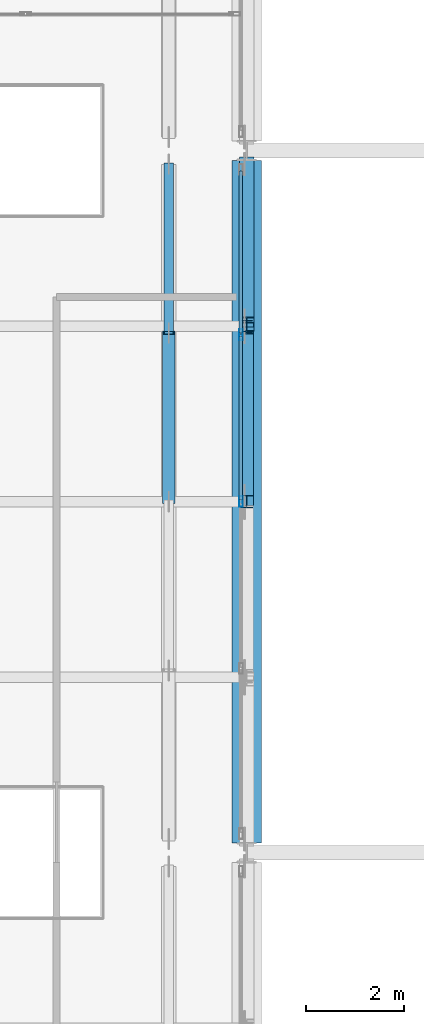
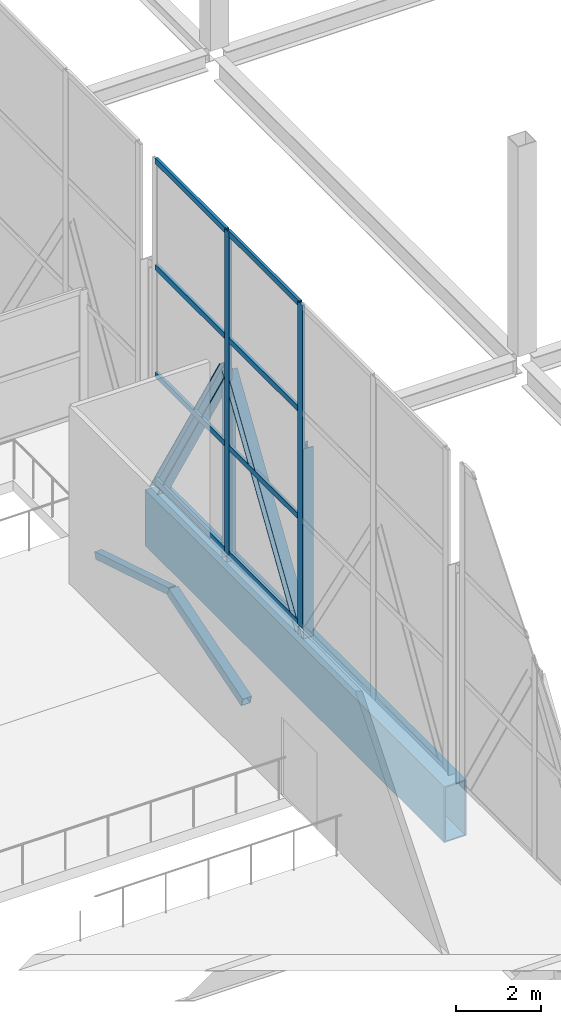
# One storey, part 66 of 191: 16 members, 1 beam, 1 element without a shape of its own.
"""IFC4 building model written with IfcOpenShell, lengths in metres."""

import ifcopenshell
import ifcopenshell.guid

model = None  # the IFC model being written
_history = None  # IfcOwnerHistory: only IFC2X3 demands one
_inside = {}  # id of a spatial element -> (the spatial element, [elements in it])
_under = {}  # id of a project, library or spatial element -> (it, [spatial elements below it])
_declared = {}  # id of a project -> (the project, [libraries it declares])
_typed = {}  # id of a type object -> (the type object, [elements of that type])
_made_of = {}  # id of a material, layer set ... -> (it, [elements and type objects made of it])


def new_model(schema):
    """Start an empty IFC model of exactly this schema.

    Asked for "IFC4X3", IfcOpenShell would pick the latest addendum, in which some entities
    have other attributes; the version numbers below select the first issue.
    IFC2X3 requires an IfcOwnerHistory on every rooted entity: one is made here for all.
    """
    global model, _history
    if schema == "IFC4X3":
        model = ifcopenshell.file(schema_version=(4, 3, 0, 0))
    else:
        model = ifcopenshell.file(schema=schema)
    _inside.clear()
    _under.clear()
    _declared.clear()
    _typed.clear()
    _made_of.clear()
    _history = None
    if model.schema == "IFC2X3":
        org = make("IfcOrganization", Name="unknown")
        user = make(
            "IfcPersonAndOrganization",
            ThePerson=make("IfcPerson", FamilyName="unknown"),
            TheOrganization=org,
        )
        app = make(
            "IfcApplication",
            ApplicationDeveloper=org,
            Version="unknown",
            ApplicationFullName="unknown",
            ApplicationIdentifier="unknown",
        )
        _history = make(
            "IfcOwnerHistory",
            OwningUser=user,
            OwningApplication=app,
            ChangeAction="ADDED",
            CreationDate=0,
        )
    return model


def make(cls, **values):
    """One entity of the class cls with the attributes given. An attribute that is None is left unset."""
    return model.create_entity(
        cls, **{name: value for name, value in values.items() if value is not None}
    )


def rooted(cls, **values):
    """An entity with a GlobalId (a new one), such as an element, a storey or a relation."""
    return make(cls, GlobalId=ifcopenshell.guid.new(), OwnerHistory=_history, **values)


def si_unit(unit_type, name, prefix=None):
    """IfcSIUnit, for example si_unit("LENGTHUNIT", "METRE", prefix="MILLI")."""
    return make("IfcSIUnit", UnitType=unit_type, Prefix=prefix, Name=name)


def assignment(units):
    """IfcUnitAssignment: the units of a project."""
    return None if units is None else make("IfcUnitAssignment", Units=units)


def point(xyz):
    """IfcCartesianPoint."""
    return None if xyz is None else make("IfcCartesianPoint", Coordinates=xyz)


def direction(xyz):
    """IfcDirection."""
    return None if xyz is None else make("IfcDirection", DirectionRatios=xyz)


def frame(location, z_axis=None, x_axis=None):
    """IfcAxis2Placement3D, a coordinate frame: its origin and axes. An axis left out is left unset."""
    return make(
        "IfcAxis2Placement3D",
        Location=point(location),
        Axis=direction(z_axis),
        RefDirection=direction(x_axis),
    )


def frame_2d(location, x_axis=None):
    """IfcAxis2Placement2D, a coordinate frame in the plane: its origin and x axis."""
    return make(
        "IfcAxis2Placement2D", Location=point(location), RefDirection=direction(x_axis)
    )


def origin():
    """The frame at (0, 0, 0) with its axes left unset."""
    return frame((0.0, 0.0, 0.0))


def origin_2d():
    """The frame at (0, 0) in the plane with its x axis left unset."""
    return frame_2d((0.0, 0.0))


def place(relative_to, where):
    """IfcLocalPlacement: puts the frame where relative to a parent placement (None: the world)."""
    return make(
        "IfcLocalPlacement", PlacementRelTo=relative_to, RelativePlacement=where
    )


def context(
    kind, dimensions, precision=None, world=None, true_north=None, identifier=None
):
    """IfcGeometricRepresentationContext, for example the 3D "Model" context."""
    return make(
        "IfcGeometricRepresentationContext",
        ContextIdentifier=identifier,
        ContextType=kind,
        CoordinateSpaceDimension=dimensions,
        Precision=precision,
        WorldCoordinateSystem=world,
        TrueNorth=true_north,
    )


def subcontext(parent, identifier, kind, view, scale=None):
    """IfcGeometricRepresentationSubContext, for example "Body" below "Model"."""
    return make(
        "IfcGeometricRepresentationSubContext",
        ContextIdentifier=identifier,
        ContextType=kind,
        ParentContext=parent,
        TargetScale=scale,
        TargetView=view,
    )


def project(units=None, contexts=None):
    """IfcProject with its units and contexts."""
    return rooted(
        "IfcProject",
        Name="project",
        RepresentationContexts=contexts,
        UnitsInContext=assignment(units),
    )


def spatial(cls, under=None, at=None, **own):
    """A site, building, storey or space (cls), placed at a placement, below another one or the project."""
    s = rooted(cls, ObjectPlacement=at, **own)
    if under is not None:
        _under.setdefault(under.id(), (under, []))[1].append(s)
    return s


def profile(cls, at=None, kind="AREA", **sizes):
    """A parametric profile (cls). Its sizes go by their IFC names, for example OverallWidth=200.0."""
    return make(cls, ProfileType=kind, Position=at, **sizes)


def hollow_rectangle(**sizes):
    """IfcRectangleHollowProfileDef."""
    return profile("IfcRectangleHollowProfileDef", **sizes)


def i_section(**sizes):
    """IfcIShapeProfileDef."""
    return profile("IfcIShapeProfileDef", **sizes)


def extrude(swept, where, along, depth):
    """IfcExtrudedAreaSolid: the profile swept, set in the frame where, extruded along a direction by depth."""
    return make(
        "IfcExtrudedAreaSolid",
        SweptArea=swept,
        Position=where,
        ExtrudedDirection=direction(along),
        Depth=depth,
    )


def shape(context_of_items, identifier, shape_type, items):
    """IfcShapeRepresentation: the items that make up one representation, for example the "Body"."""
    return make(
        "IfcShapeRepresentation",
        ContextOfItems=context_of_items,
        RepresentationIdentifier=identifier,
        RepresentationType=shape_type,
        Items=items,
    )


def material(Name=None, Category=None):
    """IfcMaterial."""
    return make("IfcMaterial", Name=Name, Category=Category)


def layer(
    of_material, thickness, ventilated=None, Name=None, Category=None, Priority=None
):
    """IfcMaterialLayer: one layer of a wall or slab, of a material (None: an air gap)."""
    return make(
        "IfcMaterialLayer",
        Material=of_material,
        LayerThickness=thickness,
        IsVentilated=ventilated,
        Name=Name,
        Category=Category,
        Priority=Priority,
    )


def layer_set(layers, Name=None):
    """IfcMaterialLayerSet."""
    return make("IfcMaterialLayerSet", MaterialLayers=layers, LayerSetName=Name)


def material_profile(
    of_material, cross_section, Name=None, Category=None, Priority=None
):
    """IfcMaterialProfile: a cross section and its material."""
    return make(
        "IfcMaterialProfile",
        Name=Name,
        Material=of_material,
        Profile=cross_section,
        Priority=Priority,
        Category=Category,
    )


def profile_set(profiles, Name=None, composite=None):
    """IfcMaterialProfileSet."""
    return make(
        "IfcMaterialProfileSet",
        Name=Name,
        MaterialProfiles=profiles,
        CompositeProfile=composite,
    )


def made_of(thing, what):
    """Note that an element or type object is made of a material, layer set ...; save() writes the relation."""
    if what is not None:
        _made_of.setdefault(what.id(), (what, []))[1].append(thing)
    return thing


def type_object(cls, material=None, **own):
    """A type object (cls), such as IfcWallType, which elements share."""
    return made_of(rooted(cls, **own), material)


def element(
    cls,
    number,
    at=None,
    inside=None,
    cuts=None,
    type_object=None,
    material=None,
    context=None,
    identifier="Body",
    shape_type=None,
    held_by="IfcProductDefinitionShape",
    body=None,
    shapes=None,
    **own,
):
    """One element of the class cls, such as IfcWall. Its Tag is "e" and its number.

    at: its placement. inside: the storey or other place that contains it. cuts: it is an
    opening in that element (IfcRelVoidsElement). A single representation is given by context,
    identifier, shape_type and body (its items); several are given by shapes. held_by: the class
    of the entity that holds the representations. save() writes the other relations.
    """
    e = rooted(cls, Tag="e%d" % number, ObjectPlacement=at, **own)
    if body is not None:
        shapes = [shape(context, identifier, shape_type, body)]
    if shapes is not None:
        e.Representation = make(held_by, Representations=shapes)
    if inside is not None:
        _inside.setdefault(inside.id(), (inside, []))[1].append(e)
    if cuts is not None:
        rooted(
            "IfcRelVoidsElement", RelatingBuildingElement=cuts, RelatedOpeningElement=e
        )
    if type_object is not None:
        _typed.setdefault(type_object.id(), (type_object, []))[1].append(e)
    return made_of(e, material)


def aggregate(whole, parts):
    """IfcRelAggregates: a whole, such as a stair, and the parts it consists of."""
    return rooted("IfcRelAggregates", RelatingObject=whole, RelatedObjects=parts)


def save(model, path):
    """Write the relations noted so far, then the file.

    IfcRelAggregates (storeys below a building ...), IfcRelContainedInSpatialStructure (elements
    in a storey), IfcRelDefinesByType, IfcRelAssociatesMaterial and IfcRelDeclares: one each for
    every whole, place, type object, material and project.
    """
    for whole, parts in _under.values():
        aggregate(whole, parts)
    for where, things in _inside.values():
        rooted(
            "IfcRelContainedInSpatialStructure",
            RelatedElements=things,
            RelatingStructure=where,
        )
    for kind, things in _typed.values():
        rooted("IfcRelDefinesByType", RelatedObjects=things, RelatingType=kind)
    for what, things in _made_of.values():
        rooted("IfcRelAssociatesMaterial", RelatedObjects=things, RelatingMaterial=what)
    for by, libraries in _declared.values():
        rooted("IfcRelDeclares", RelatingContext=by, RelatedDefinitions=libraries)
    model.write(path)


model = new_model("IFC4")

# Units and contexts
model_context = context("Model", 3, precision=1e-05, world=origin(), true_north=direction((0.0, 1.0)))
body_context = subcontext(model_context, "Body", "Model", "MODEL_VIEW")
ifc_project = project(units=[si_unit("LENGTHUNIT", "METRE"), si_unit("AREAUNIT", "SQUARE_METRE"), si_unit("VOLUMEUNIT", "CUBIC_METRE"), si_unit("PLANEANGLEUNIT", "RADIAN"), si_unit("MASSUNIT", "GRAM", prefix="KILO")], contexts=[model_context])

# Site, building, storey
site_placement = place(None, origin())
site = spatial("IfcSite", under=ifc_project, at=site_placement, CompositionType="ELEMENT")
building_placement = place(site_placement, origin())
building = spatial("IfcBuilding", under=site, at=building_placement, Name="Tamarisk Ironworks Central Station", CompositionType="ELEMENT")
storey_placement = place(building_placement, frame((0.0, 0.0, 6.60009765625)))
storey = spatial("IfcBuildingStorey", under=building, at=storey_placement, Name="L01", CompositionType="ELEMENT", Elevation=6.60009765625)

# Beam
ifc_material_1 = material(Name="Structural steel S355J2", Category="steel")
ifc_material_profile_1 = material_profile(ifc_material_1, hollow_rectangle(XDim=0.60009765625, YDim=1.60009765625, WallThickness=0.031982421875, at=origin_2d()), Name="BOX 600x1600x32")
ifc_profile_set_1 = profile_set([ifc_material_profile_1], Name="Structural steel S355J2")
beam_type = type_object("IfcBeamType", Name="BM-TG01", PredefinedType="USERDEFINED", material=ifc_profile_set_1)
beam_placement = place(storey_placement, frame((108.0, 50.6005859375, -1.10009765625), z_axis=(0.0, 1.0, 0.0), x_axis=(-1.0, 0.0, 0.0)))
element("IfcBeam", 1, at=beam_placement, inside=storey, type_object=beam_type, Name="L01 primary girder Y-0234", ObjectType="TRANSFER GIRDER", PredefinedType="USERDEFINED", context=body_context, shape_type="SweptSolid", body=[
    extrude(hollow_rectangle(XDim=0.60009765625, YDim=1.60009765625, WallThickness=0.031982421875, at=origin_2d()), origin(), (0.0, 0.0, 1.0), 13.9990234375),
])

# Curtain wall, members
ifc_material_2 = material(Name="Anodized aluminium alloy 6063-T6", Category="aluminium")
ifc_layer = layer(ifc_material_2, 0.179931640625)
ifc_layer_set = layer_set([ifc_layer], Name="Anodized aluminium alloy 6063-T6")
curtain_wall_type = type_object("IfcCurtainWallType", Name="CW-06", PredefinedType="USERDEFINED", material=ifc_layer_set)
curtain_wall_placement = place(storey_placement, origin())
curtain_wall = element("IfcCurtainWall", 2, at=curtain_wall_placement, inside=storey, type_object=curtain_wall_type, Name="Concourse E track-overlook curtain wall 04", ObjectType="GLAZED CURTAIN WALL", PredefinedType="USERDEFINED")
ifc_material_profile_2 = material_profile(ifc_material_2, hollow_rectangle(XDim=0.074951171875, YDim=0.219970703125, WallThickness=0.00390625, at=origin_2d()), Name="ALUM 220x75")
ifc_profile_set_2 = profile_set([ifc_material_profile_2], Name="Anodized aluminium alloy 6063-T6")
member_type_1 = type_object("IfcMemberType", Name="CWM-01", PredefinedType="MULLION", material=ifc_profile_set_2)
member_1_placement = place(storey_placement, frame((107.8798828125, 57.60009765625, 0.0), z_axis=(0.0, 0.0, 1.0), x_axis=(-1.0, 0.0, 0.0)))
member_1 = element("IfcMember", 3, at=member_1_placement, type_object=member_type_1, Name="CW06 mullion 3", PredefinedType="MULLION", context=body_context, shape_type="SweptSolid", body=[
    extrude(hollow_rectangle(XDim=0.074951171875, YDim=0.219970703125, WallThickness=0.00390625, at=origin_2d()), origin(), (0.0, 0.0, 1.0), 9.219970703125),
])
member_2_placement = place(storey_placement, frame((107.8798828125, 61.02490234375, 0.0), z_axis=(0.0, 0.0, 1.0), x_axis=(-1.0, 0.0, 0.0)))
member_2 = element("IfcMember", 4, at=member_2_placement, type_object=member_type_1, Name="CW06 mullion 4", PredefinedType="MULLION", context=body_context, shape_type="SweptSolid", body=[
    extrude(hollow_rectangle(XDim=0.074951171875, YDim=0.219970703125, WallThickness=0.00390625, at=origin_2d()), origin(), (0.0, 0.0, 1.0), 9.219970703125),
])
ifc_material_profile_3 = material_profile(ifc_material_2, hollow_rectangle(XDim=0.074951171875, YDim=0.159912109375, WallThickness=0.00390625, at=origin_2d()), Name="ALUM 160x75")
ifc_profile_set_3 = profile_set([ifc_material_profile_3], Name="Anodized aluminium alloy 6063-T6")
member_type_2 = type_object("IfcMemberType", Name="CWT-01", PredefinedType="USERDEFINED", material=ifc_profile_set_3)
member_3_placement = place(storey_placement, frame((107.8798828125, 57.633544921875, 0.037353515625), z_axis=(0.0, 1.0, 0.0), x_axis=(-1.0, 0.0, 0.0)))
member_3 = element("IfcMember", 5, at=member_3_placement, type_object=member_type_2, Name="CW06 transom 3.1", ObjectType="TRANSOM", PredefinedType="USERDEFINED", context=body_context, shape_type="SweptSolid", body=[
    extrude(hollow_rectangle(XDim=0.074951171875, YDim=0.159912109375, WallThickness=0.00390625, at=origin_2d()), origin(), (0.0, 0.0, 1.0), 3.35791015625),
])
member_4_placement = place(storey_placement, frame((107.8798828125, 57.633544921875, 3.0732421875), z_axis=(0.0, 1.0, 0.0), x_axis=(-1.0, 0.0, 0.0)))
member_4 = element("IfcMember", 6, at=member_4_placement, type_object=member_type_2, Name="CW06 transom 3.2", ObjectType="TRANSOM", PredefinedType="USERDEFINED", context=body_context, shape_type="SweptSolid", body=[
    extrude(hollow_rectangle(XDim=0.074951171875, YDim=0.159912109375, WallThickness=0.00390625, at=origin_2d()), origin(), (0.0, 0.0, 1.0), 3.35791015625),
])
member_5_placement = place(storey_placement, frame((107.8798828125, 57.633544921875, 6.146484375), z_axis=(0.0, 1.0, 0.0), x_axis=(-1.0, 0.0, 0.0)))
member_5 = element("IfcMember", 7, at=member_5_placement, type_object=member_type_2, Name="CW06 transom 3.3", ObjectType="TRANSOM", PredefinedType="USERDEFINED", context=body_context, shape_type="SweptSolid", body=[
    extrude(hollow_rectangle(XDim=0.074951171875, YDim=0.159912109375, WallThickness=0.00390625, at=origin_2d()), origin(), (0.0, 0.0, 1.0), 3.35791015625),
])
member_6_placement = place(storey_placement, frame((107.8798828125, 57.633544921875, 9.182373046875), z_axis=(0.0, 1.0, 0.0), x_axis=(-1.0, 0.0, 0.0)))
member_6 = element("IfcMember", 8, at=member_6_placement, type_object=member_type_2, Name="CW06 transom 3.4", ObjectType="TRANSOM", PredefinedType="USERDEFINED", context=body_context, shape_type="SweptSolid", body=[
    extrude(hollow_rectangle(XDim=0.074951171875, YDim=0.159912109375, WallThickness=0.00390625, at=origin_2d()), origin(), (0.0, 0.0, 1.0), 3.35791015625),
])
member_7_placement = place(storey_placement, frame((107.8798828125, 61.05859375, 0.037353515625), z_axis=(0.0, 1.0, 0.0), x_axis=(-1.0, 0.0, 0.0)))
member_7 = element("IfcMember", 9, at=member_7_placement, type_object=member_type_2, Name="CW06 transom 4.1", ObjectType="TRANSOM", PredefinedType="USERDEFINED", context=body_context, shape_type="SweptSolid", body=[
    extrude(hollow_rectangle(XDim=0.074951171875, YDim=0.159912109375, WallThickness=0.00390625, at=origin_2d()), origin(), (0.0, 0.0, 1.0), 3.3203125),
])
member_8_placement = place(storey_placement, frame((107.8798828125, 61.05859375, 3.0732421875), z_axis=(0.0, 1.0, 0.0), x_axis=(-1.0, 0.0, 0.0)))
member_8 = element("IfcMember", 10, at=member_8_placement, type_object=member_type_2, Name="CW06 transom 4.2", ObjectType="TRANSOM", PredefinedType="USERDEFINED", context=body_context, shape_type="SweptSolid", body=[
    extrude(hollow_rectangle(XDim=0.074951171875, YDim=0.159912109375, WallThickness=0.00390625, at=origin_2d()), origin(), (0.0, 0.0, 1.0), 3.3203125),
])
member_9_placement = place(storey_placement, frame((107.8798828125, 61.05859375, 6.146484375), z_axis=(0.0, 1.0, 0.0), x_axis=(-1.0, 0.0, 0.0)))
member_9 = element("IfcMember", 11, at=member_9_placement, type_object=member_type_2, Name="CW06 transom 4.3", ObjectType="TRANSOM", PredefinedType="USERDEFINED", context=body_context, shape_type="SweptSolid", body=[
    extrude(hollow_rectangle(XDim=0.074951171875, YDim=0.159912109375, WallThickness=0.00390625, at=origin_2d()), origin(), (0.0, 0.0, 1.0), 3.3203125),
])
member_10_placement = place(storey_placement, frame((107.8798828125, 61.05859375, 9.182373046875), z_axis=(0.0, 1.0, 0.0), x_axis=(-1.0, 0.0, 0.0)))
member_10 = element("IfcMember", 12, at=member_10_placement, type_object=member_type_2, Name="CW06 transom 4.4", ObjectType="TRANSOM", PredefinedType="USERDEFINED", context=body_context, shape_type="SweptSolid", body=[
    extrude(hollow_rectangle(XDim=0.074951171875, YDim=0.159912109375, WallThickness=0.00390625, at=origin_2d()), origin(), (0.0, 0.0, 1.0), 3.3203125),
])
aggregate(curtain_wall, [member_1, member_2, member_3, member_4, member_5, member_6, member_7, member_8, member_9, member_10])

# Members
ifc_material_3 = material(Name="Structural steel S355J2H", Category="steel")
ifc_material_profile_4 = material_profile(ifc_material_3, hollow_rectangle(XDim=0.25, YDim=0.25, WallThickness=0.012451171875, at=origin_2d()), Name="SHS 250x250x12.5")
ifc_profile_set_4 = profile_set([ifc_material_profile_4], Name="Structural steel S355J2H")
member_type_3 = type_object("IfcMemberType", Name="MB-BR01", PredefinedType="BRACE", material=ifc_profile_set_4)
member_11_placement = place(storey_placement, frame((106.39990234375, 57.60009765625, -1.64013671875), z_axis=(0.0, 0.956131332595, 0.292938346467), x_axis=(-1.0, 0.0, 0.0)))
element("IfcMember", 13, at=member_11_placement, inside=storey, type_object=member_type_3, Name="Bridge deck stiffening web brace 201", PredefinedType="BRACE", context=body_context, shape_type="SweptSolid", body=[
    extrude(hollow_rectangle(XDim=0.25, YDim=0.25, WallThickness=0.012451171875, at=origin_2d()), origin(), (0.0, 0.0, 1.0), 3.61865234375),
])
ifc_material_profile_5 = material_profile(ifc_material_3, hollow_rectangle(XDim=0.199951171875, YDim=0.199951171875, WallThickness=0.010009765625, at=origin_2d()), Name="SHS 200x200x10")
ifc_profile_set_5 = profile_set([ifc_material_profile_5], Name="Structural steel S355J2H")
member_type_4 = type_object("IfcMemberType", Name="MB-BR02", PredefinedType="BRACE", material=ifc_profile_set_5)
member_12_placement = place(storey_placement, frame((106.39990234375, 61.06005859375, -0.580078125), z_axis=(0.0, 0.956131332595, -0.292938346467), x_axis=(-1.0, 0.0, 0.0)))
element("IfcMember", 14, at=member_12_placement, inside=storey, type_object=member_type_4, Name="Bridge deck stiffening web brace 202", PredefinedType="BRACE", context=body_context, shape_type="SweptSolid", body=[
    extrude(hollow_rectangle(XDim=0.199951171875, YDim=0.199951171875, WallThickness=0.010009765625, at=origin_2d()), origin(), (0.0, 0.0, 1.0), 3.61865234375),
])
ifc_material_profile_6 = material_profile(ifc_material_1, i_section(OverallWidth=0.300048828125, OverallDepth=0.340087890625, WebThickness=0.011962890625, FlangeThickness=0.021484375, at=origin_2d()), Name="HEB 340")
ifc_profile_set_6 = profile_set([ifc_material_profile_6], Name="Structural steel S355J2")
member_type_5 = type_object("IfcMemberType", Name="MB-TTD01", PredefinedType="BRACE", material=ifc_profile_set_6)
member_13_placement = place(storey_placement, frame((108.0, 61.239990234375, 5.119873046875), z_axis=(0.0, 0.512200847378, -0.858865700762), x_axis=(-1.0, 0.0, 0.0)))
element("IfcMember", 15, at=member_13_placement, inside=storey, type_object=member_type_5, Name="Transfer truss diagonal 104", PredefinedType="BRACE", context=body_context, shape_type="SweptSolid", body=[
    extrude(i_section(OverallWidth=0.300048828125, OverallDepth=0.340087890625, WebThickness=0.011962890625, FlangeThickness=0.021484375, at=origin_2d()), origin(), (0.0, 0.0, 1.0), 6.40380859375),
])
ifc_material_profile_7 = material_profile(ifc_material_1, i_section(OverallWidth=0.280029296875, OverallDepth=0.280029296875, WebThickness=0.010498046875, FlangeThickness=0.01806640625, at=origin_2d()), Name="HEB 280")
ifc_profile_set_7 = profile_set([ifc_material_profile_7], Name="Structural steel S355J2")
member_type_6 = type_object("IfcMemberType", Name="MB-TTD02", PredefinedType="BRACE", material=ifc_profile_set_7)
member_14_placement = place(storey_placement, frame((108.0, 57.639892578125, -0.380126953125), z_axis=(0.0, 0.539055818311, 0.842270042649), x_axis=(-1.0, 0.0, 0.0)))
element("IfcMember", 16, at=member_14_placement, inside=storey, type_object=member_type_6, Name="Transfer truss diagonal 102", PredefinedType="BRACE", context=body_context, shape_type="SweptSolid", body=[
    extrude(i_section(OverallWidth=0.280029296875, OverallDepth=0.280029296875, WebThickness=0.010498046875, FlangeThickness=0.01806640625, at=origin_2d()), origin(), (0.0, 0.0, 1.0), 6.530029296875),
])
ifc_material_profile_8 = material_profile(ifc_material_1, i_section(OverallWidth=0.260009765625, OverallDepth=0.260009765625, WebThickness=0.010009765625, FlangeThickness=0.017578125, at=origin_2d()), Name="HEB 260")
ifc_profile_set_8 = profile_set([ifc_material_profile_8], Name="Structural steel S355J2")
member_type_7 = type_object("IfcMemberType", Name="MB-TTP01", PredefinedType="POST", material=ifc_profile_set_8)
member_15_placement = place(storey_placement, frame((108.0, 57.60009765625, -0.340087890625), z_axis=(0.0, 0.0, 1.0), x_axis=(1.0, 0.0, 0.0)))
element("IfcMember", 17, at=member_15_placement, inside=storey, type_object=member_type_7, Name="Transfer truss vertical post 103", PredefinedType="POST", context=body_context, shape_type="SweptSolid", body=[
    extrude(i_section(OverallWidth=0.260009765625, OverallDepth=0.260009765625, WebThickness=0.010009765625, FlangeThickness=0.017578125, at=origin_2d()), origin(), (0.0, 0.0, 1.0), 5.4599609375),
])
ifc_material_profile_9 = material_profile(ifc_material_1, i_section(OverallWidth=0.239990234375, OverallDepth=0.239990234375, WebThickness=0.010009765625, FlangeThickness=0.01708984375, at=origin_2d()), Name="HEB 240")
ifc_profile_set_9 = profile_set([ifc_material_profile_9], Name="Structural steel S355J2")
member_type_8 = type_object("IfcMemberType", Name="MB-TTP02", PredefinedType="POST", material=ifc_profile_set_9)
member_16_placement = place(storey_placement, frame((108.0, 61.199951171875, -0.340087890625), z_axis=(0.0, 0.0, 1.0), x_axis=(1.0, 0.0, 0.0)))
element("IfcMember", 18, at=member_16_placement, inside=storey, type_object=member_type_8, Name="Transfer truss vertical post 105", PredefinedType="POST", context=body_context, shape_type="SweptSolid", body=[
    extrude(i_section(OverallWidth=0.239990234375, OverallDepth=0.239990234375, WebThickness=0.010009765625, FlangeThickness=0.01708984375, at=origin_2d()), origin(), (0.0, 0.0, 1.0), 5.4599609375),
])

save(model, "model.ifc")
